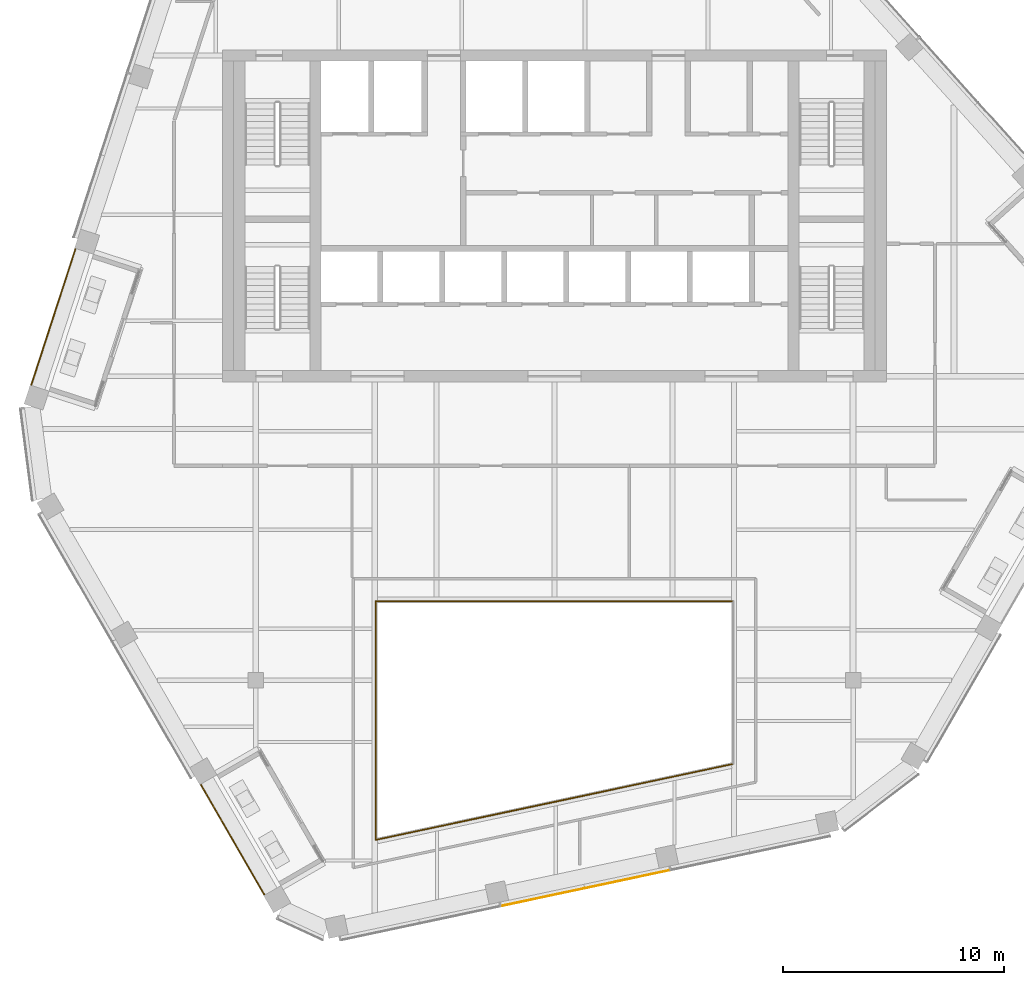
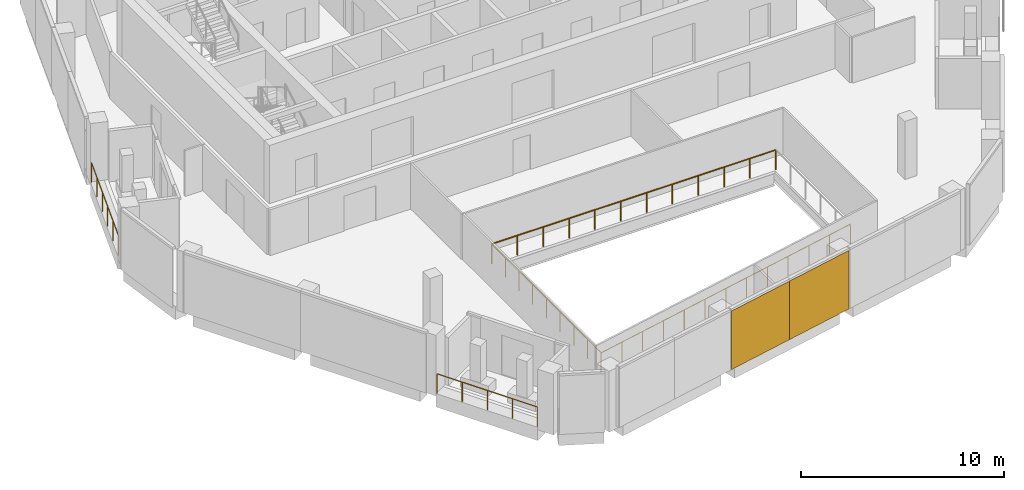
# One storey, part 15 of 20: 5 railings, 2 coverings, 1 element without a shape of its own.
"""IFC4 building model written with IfcOpenShell, lengths in metres."""

from ifc_helpers import new_model, si_unit, direction, frame, origin, origin_2d, place, context, subcontext, project, spatial, rectangle, circle, extrude, material, layer, layer_set, type_object, element, aggregate, save


model = new_model("IFC4")

# Units and contexts
model_context = context("Model", 3, precision=1e-05, world=origin(), true_north=direction((0.0, 1.0)))
body_context = subcontext(model_context, "Body", "Model", "MODEL_VIEW")
ifc_project = project(units=[si_unit("LENGTHUNIT", "METRE"), si_unit("AREAUNIT", "SQUARE_METRE"), si_unit("VOLUMEUNIT", "CUBIC_METRE"), si_unit("PLANEANGLEUNIT", "RADIAN"), si_unit("MASSUNIT", "GRAM", prefix="KILO")], contexts=[model_context])

# Site, building, storey
site_placement = place(None, origin())
site = spatial("IfcSite", under=ifc_project, at=site_placement, CompositionType="ELEMENT")
building_placement = place(site_placement, origin())
building = spatial("IfcBuilding", under=site, at=building_placement, Name="Isthmus Gate Tower", CompositionType="ELEMENT")
storey_placement = place(building_placement, frame((0.0, 0.0, 279.199951171875)))
storey = spatial("IfcBuildingStorey", under=building, at=storey_placement, Name="L71", CompositionType="ELEMENT", Elevation=279.199951171875)

# Railings
ifc_material_1 = material(Name="Laminated toughened glass balustrade with steel rail", Category="steel")
railing_type_1 = type_object("IfcRailingType", Name="ATRIUM GUARD GLASS BALUSTRADE 1200", PredefinedType="GUARDRAIL", material=ifc_material_1)
railing_1_placement = place(storey_placement, frame((-8.080078125, -20.7099609375, 0.0)))
element("IfcRailing", 1, at=railing_1_placement, inside=storey, type_object=railing_type_1, Name="L71 atrium guard", PredefinedType="GUARDRAIL", context=body_context, shape_type="SweptSolid", body=[
    extrude(circle(Radius=0.02490234375, at=origin_2d()), frame((0.0, 0.0, 1.1748046875), z_axis=(0.0, 1.0, 0.0), x_axis=(-1.0, 0.0, 0.0)), (0.0, 0.0, 1.0), 10.7900390625),
    extrude(circle(Radius=0.02490234375, at=origin_2d()), origin(), (0.0, 0.0, 1.0), 1.14990234375),
    extrude(circle(Radius=0.02490234375, at=origin_2d()), frame((0.0, 1.3486328125, 0.0)), (0.0, 0.0, 1.0), 1.14990234375),
    extrude(circle(Radius=0.02490234375, at=origin_2d()), frame((0.0, 2.697509765625, 0.0)), (0.0, 0.0, 1.0), 1.14990234375),
    extrude(circle(Radius=0.02490234375, at=origin_2d()), frame((0.0, 4.04638671875, 0.0)), (0.0, 0.0, 1.0), 1.14990234375),
    extrude(circle(Radius=0.02490234375, at=origin_2d()), frame((0.0, 5.39501953125, 0.0)), (0.0, 0.0, 1.0), 1.14990234375),
    extrude(circle(Radius=0.02490234375, at=origin_2d()), frame((0.0, 6.74365234375, 0.0)), (0.0, 0.0, 1.0), 1.14990234375),
    extrude(circle(Radius=0.02490234375, at=origin_2d()), frame((0.0, 8.092529296875, 0.0)), (0.0, 0.0, 1.0), 1.14990234375),
    extrude(circle(Radius=0.02490234375, at=origin_2d()), frame((0.0, 9.44140625, 0.0)), (0.0, 0.0, 1.0), 1.14990234375),
    extrude(circle(Radius=0.02490234375, at=origin_2d()), frame((0.0, 10.7900390625, 0.0)), (0.0, 0.0, 1.0), 1.14990234375),
])
railing_2_placement = place(storey_placement, frame((-8.080078125, -9.919921875, 0.0)))
element("IfcRailing", 2, at=railing_2_placement, inside=storey, type_object=railing_type_1, Name="L71 atrium guard", PredefinedType="GUARDRAIL", context=body_context, shape_type="SweptSolid", body=[
    extrude(circle(Radius=0.02490234375, at=origin_2d()), frame((0.0, 0.0, 1.1748046875), z_axis=(1.0, 0.0, 0.0), x_axis=(0.0, 1.0, 0.0)), (0.0, 0.0, 1.0), 16.16015625),
    extrude(circle(Radius=0.02490234375, at=origin_2d()), origin(), (0.0, 0.0, 1.0), 1.14990234375),
    extrude(circle(Radius=0.02490234375, at=origin_2d()), frame((1.468994140625, 0.0, 0.0)), (0.0, 0.0, 1.0), 1.14990234375),
    extrude(circle(Radius=0.02490234375, at=origin_2d()), frame((2.938232421875, 0.0, 0.0)), (0.0, 0.0, 1.0), 1.14990234375),
    extrude(circle(Radius=0.02490234375, at=origin_2d()), frame((4.4072265625, 0.0, 0.0)), (0.0, 0.0, 1.0), 1.14990234375),
    extrude(circle(Radius=0.02490234375, at=origin_2d()), frame((5.87646484375, 0.0, 0.0)), (0.0, 0.0, 1.0), 1.14990234375),
    extrude(circle(Radius=0.02490234375, at=origin_2d()), frame((7.345458984375, 0.0, 0.0)), (0.0, 0.0, 1.0), 1.14990234375),
    extrude(circle(Radius=0.02490234375, at=origin_2d()), frame((8.814697265625, 0.0, 0.0)), (0.0, 0.0, 1.0), 1.14990234375),
    extrude(circle(Radius=0.02490234375, at=origin_2d()), frame((10.28369140625, 0.0, 0.0)), (0.0, 0.0, 1.0), 1.14990234375),
    extrude(circle(Radius=0.02490234375, at=origin_2d()), frame((11.7529296875, 0.0, 0.0)), (0.0, 0.0, 1.0), 1.14990234375),
    extrude(circle(Radius=0.02490234375, at=origin_2d()), frame((13.221923828125, 0.0, 0.0)), (0.0, 0.0, 1.0), 1.14990234375),
    extrude(circle(Radius=0.02490234375, at=origin_2d()), frame((14.691162109375, 0.0, 0.0)), (0.0, 0.0, 1.0), 1.14990234375),
    extrude(circle(Radius=0.02490234375, at=origin_2d()), frame((16.16015625, 0.0, 0.0)), (0.0, 0.0, 1.0), 1.14990234375),
])
railing_3_placement = place(storey_placement, frame((8.080078125, -17.27490234375, 0.0)))
element("IfcRailing", 3, at=railing_3_placement, inside=storey, type_object=railing_type_1, Name="L71 atrium guard", PredefinedType="GUARDRAIL", context=body_context, shape_type="SweptSolid", body=[
    extrude(circle(Radius=0.02490234375, at=origin_2d()), frame((0.0, 0.0, 1.1748046875), z_axis=(-0.978146230105, -0.207918139013, 0.0), x_axis=(0.207918139013, -0.978146230105, 0.0)), (0.0, 0.0, 1.0), 16.521240234375),
    extrude(circle(Radius=0.02490234375, at=origin_2d()), origin(), (0.0, 0.0, 1.0), 1.14990234375),
    extrude(circle(Radius=0.02490234375, at=origin_2d()), frame((-1.3466796875, -0.2861328125, 0.0)), (0.0, 0.0, 1.0), 1.14990234375),
    extrude(circle(Radius=0.02490234375, at=origin_2d()), frame((-2.693359375, -0.572509765625, 0.0)), (0.0, 0.0, 1.0), 1.14990234375),
    extrude(circle(Radius=0.02490234375, at=origin_2d()), frame((-4.0400390625, -0.85888671875, 0.0)), (0.0, 0.0, 1.0), 1.14990234375),
    extrude(circle(Radius=0.02490234375, at=origin_2d()), frame((-5.38671875, -1.14501953125, 0.0)), (0.0, 0.0, 1.0), 1.14990234375),
    extrude(circle(Radius=0.02490234375, at=origin_2d()), frame((-6.7333984375, -1.43115234375, 0.0)), (0.0, 0.0, 1.0), 1.14990234375),
    extrude(circle(Radius=0.02490234375, at=origin_2d()), frame((-8.080078125, -1.717529296875, 0.0)), (0.0, 0.0, 1.0), 1.14990234375),
    extrude(circle(Radius=0.02490234375, at=origin_2d()), frame((-9.4267578125, -2.00390625, 0.0)), (0.0, 0.0, 1.0), 1.14990234375),
    extrude(circle(Radius=0.02490234375, at=origin_2d()), frame((-10.7734375, -2.2900390625, 0.0)), (0.0, 0.0, 1.0), 1.14990234375),
    extrude(circle(Radius=0.02490234375, at=origin_2d()), frame((-12.1201171875, -2.576171875, 0.0)), (0.0, 0.0, 1.0), 1.14990234375),
    extrude(circle(Radius=0.02490234375, at=origin_2d()), frame((-13.466796875, -2.862548828125, 0.0)), (0.0, 0.0, 1.0), 1.14990234375),
    extrude(circle(Radius=0.02490234375, at=origin_2d()), frame((-14.8134765625, -3.14892578125, 0.0)), (0.0, 0.0, 1.0), 1.14990234375),
    extrude(circle(Radius=0.02490234375, at=origin_2d()), frame((-16.16015625, -3.43505859375, 0.0)), (0.0, 0.0, 1.0), 1.14990234375),
])

# Curtain wall, coverings
ifc_material_2 = material(Name="Aluminium, pale champagne anodised", Category="aluminium")
ifc_layer_1 = layer(ifc_material_2, 0.199951171875)
ifc_layer_set_1 = layer_set([ifc_layer_1], Name="CW-1 UNITISED CURTAIN WALL 200 DEEP")
curtain_wall_type = type_object("IfcCurtainWallType", Name="CW-1 UNITISED CURTAIN WALL 200 DEEP", PredefinedType="NOTDEFINED", material=ifc_layer_set_1)
curtain_wall_placement = place(storey_placement, origin())
curtain_wall = element("IfcCurtainWall", 4, at=curtain_wall_placement, inside=storey, type_object=curtain_wall_type, Name="CW-1 S L71", PredefinedType="NOTDEFINED")
ifc_material_3 = material(Name="Aluminium composite panel, pale champagne anodised", Category="aluminium")
ifc_layer_2 = layer(ifc_material_3, 0.031982421875)
ifc_layer_set_2 = layer_set([ifc_layer_2], Name="CW-1 PALE METAL PANEL 32")
covering_type = type_object("IfcCoveringType", Name="CW-1 PALE METAL PANEL 32", PredefinedType="CLADDING", material=ifc_layer_set_2)
covering_1_placement = place(storey_placement, frame((-0.5234375, -23.29931640625, 0.0), z_axis=(0.0, 0.0, 1.0), x_axis=(0.978147600734, 0.207911690818, 0.0)))
covering_1 = element("IfcCovering", 5, at=covering_1_placement, type_object=covering_type, Name="CW-1 pale metal panel", PredefinedType="CLADDING", context=body_context, shape_type="SweptSolid", body=[
    extrude(rectangle(XDim=3.868408203125, YDim=0.031982421875, at=origin_2d()), origin(), (0.0, 0.0, 1.0), 3.52001953125),
])
covering_2_placement = place(storey_placement, frame((3.289794921875, -22.48876953125, 0.0), z_axis=(0.0, 0.0, 1.0), x_axis=(0.978147600734, 0.207911690818, 0.0)))
covering_2 = element("IfcCovering", 6, at=covering_2_placement, type_object=covering_type, Name="CW-1 pale metal panel", PredefinedType="CLADDING", context=body_context, shape_type="SweptSolid", body=[
    extrude(rectangle(XDim=3.928466796875, YDim=0.031982421875, at=origin_2d()), origin(), (0.0, 0.0, 1.0), 3.52001953125),
])
aggregate(curtain_wall, [covering_1, covering_2])

# Railings
ifc_material_4 = material(Name="Toughened laminated glass with stainless steel posts", Category="steel")
railing_type_2 = type_object("IfcRailingType", Name="GUARD 1200 FRAMELESS GLASS", PredefinedType="GUARDRAIL", material=ifc_material_4)
railing_4_placement = place(storey_placement, frame((-21.65673828125, 5.989013671875, 0.0)))
element("IfcRailing", 7, at=railing_4_placement, inside=storey, type_object=railing_type_2, Name="LOGGIA GUARD", PredefinedType="GUARDRAIL", context=body_context, shape_type="SweptSolid", body=[
    extrude(circle(Radius=0.02490234375, at=origin_2d()), frame((0.0, 0.0, 1.1748046875), z_axis=(-0.308993302308, -0.951064213988, 0.0), x_axis=(0.951064213988, -0.308993302308, 0.0)), (0.0, 0.0, 1.0), 6.4267578125),
    extrude(circle(Radius=0.02490234375, at=origin_2d()), origin(), (0.0, 0.0, 1.0), 1.14990234375),
    extrude(circle(Radius=0.02490234375, at=origin_2d()), frame((-0.397216796875, -1.222412109375, 0.0)), (0.0, 0.0, 1.0), 1.14990234375),
    extrude(circle(Radius=0.02490234375, at=origin_2d()), frame((-0.79443359375, -2.44482421875, 0.0)), (0.0, 0.0, 1.0), 1.14990234375),
    extrude(circle(Radius=0.02490234375, at=origin_2d()), frame((-1.19140625, -3.66748046875, 0.0)), (0.0, 0.0, 1.0), 1.14990234375),
    extrude(circle(Radius=0.02490234375, at=origin_2d()), frame((-1.588623046875, -4.889892578125, 0.0)), (0.0, 0.0, 1.0), 1.14990234375),
    extrude(circle(Radius=0.02490234375, at=origin_2d()), frame((-1.98583984375, -6.1123046875, 0.0)), (0.0, 0.0, 1.0), 1.14990234375),
])
railing_5_placement = place(storey_placement, frame((-15.9755859375, -18.229736328125, 0.0)))
element("IfcRailing", 8, at=railing_5_placement, inside=storey, type_object=railing_type_2, Name="LOGGIA GUARD", PredefinedType="GUARDRAIL", context=body_context, shape_type="SweptSolid", body=[
    extrude(circle(Radius=0.02490234375, at=origin_2d()), frame((0.0, 0.0, 1.1748046875), z_axis=(0.500010184938, -0.866019523428, 0.0), x_axis=(0.866019523428, 0.500010184938, 0.0)), (0.0, 0.0, 1.0), 5.70458984375),
    extrude(circle(Radius=0.02490234375, at=origin_2d()), origin(), (0.0, 0.0, 1.0), 1.14990234375),
    extrude(circle(Radius=0.02490234375, at=origin_2d()), frame((0.713134765625, -1.235107421875, 0.0)), (0.0, 0.0, 1.0), 1.14990234375),
    extrude(circle(Radius=0.02490234375, at=origin_2d()), frame((1.42626953125, -2.47021484375, 0.0)), (0.0, 0.0, 1.0), 1.14990234375),
    extrude(circle(Radius=0.02490234375, at=origin_2d()), frame((2.13916015625, -3.705078125, 0.0)), (0.0, 0.0, 1.0), 1.14990234375),
    extrude(circle(Radius=0.02490234375, at=origin_2d()), frame((2.852294921875, -4.940185546875, 0.0)), (0.0, 0.0, 1.0), 1.14990234375),
])

save(model, "model.ifc")
